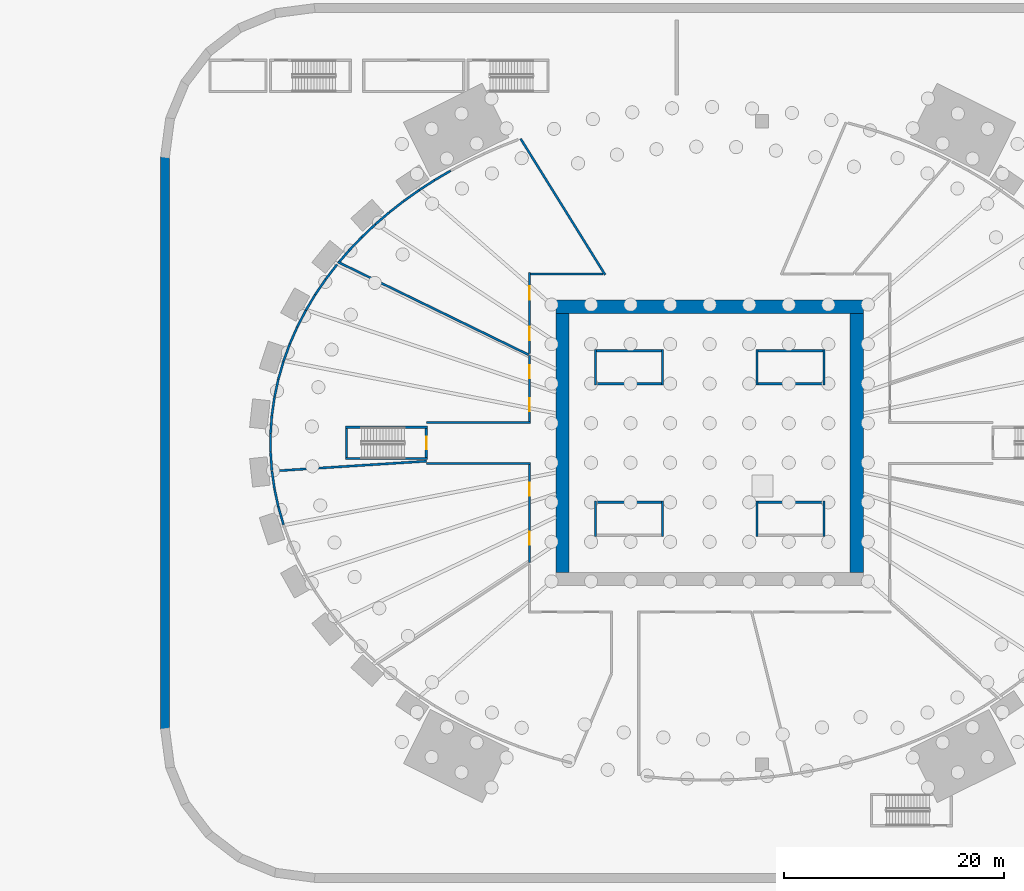
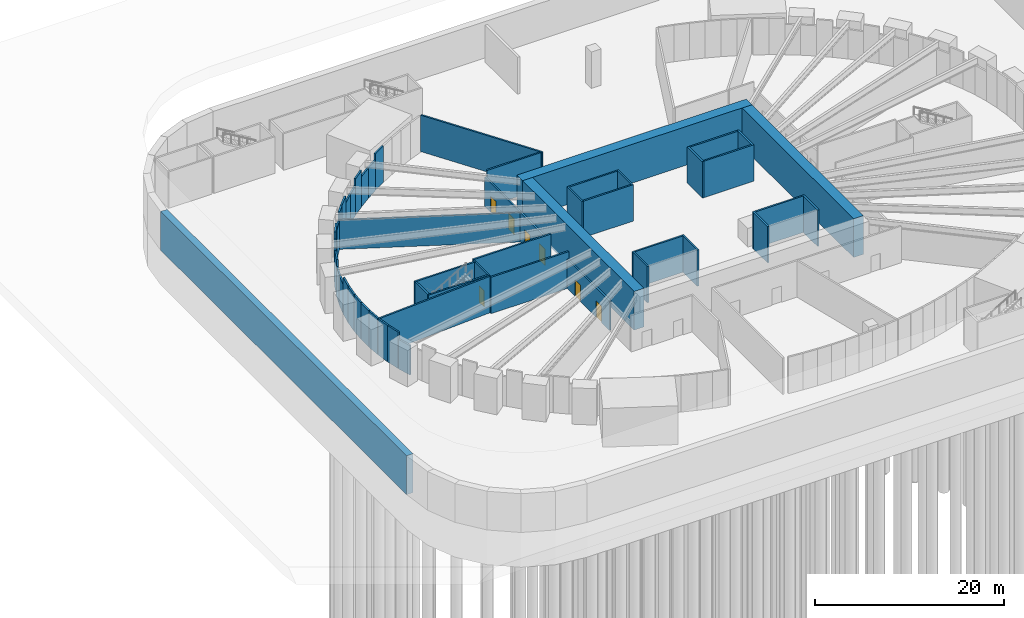
# One storey, part 4 of 14: 54 walls, 7 doors, 7 openings.
"""IFC4 building model written with IfcOpenShell, lengths in metres."""

from ifc_helpers import new_model, si_unit, direction, frame, frame_2d, origin, place, context, subcontext, project, spatial, rectangle, extrude, source, transform, mapped, material, layer, layer_set, type_object, element, fill, save


model = new_model("IFC4")

# Units and contexts
model_context = context("Model", 3, precision=1e-05, world=origin(), true_north=direction((0.0, 1.0)))
body_context = subcontext(model_context, "Body", "Model", "MODEL_VIEW")
ifc_project = project(units=[si_unit("LENGTHUNIT", "METRE"), si_unit("AREAUNIT", "SQUARE_METRE"), si_unit("VOLUMEUNIT", "CUBIC_METRE"), si_unit("PLANEANGLEUNIT", "RADIAN"), si_unit("MASSUNIT", "GRAM", prefix="KILO")], contexts=[model_context])

# Site, building, storey
site_placement = place(None, origin())
site = spatial("IfcSite", under=ifc_project, at=site_placement, CompositionType="ELEMENT")
building_placement = place(site_placement, origin())
building = spatial("IfcBuilding", under=site, at=building_placement, Name="Embergate Tower", CompositionType="ELEMENT")
storey_placement = place(building_placement, frame((0.0, 0.0, -10.0)))
storey = spatial("IfcBuildingStorey", under=building, at=storey_placement, Name="B2", CompositionType="ELEMENT", Elevation=-10.0)

# Walls
ifc_material_1 = material(Name="Concrete C40", Category="concrete")
ifc_layer_1 = layer(ifc_material_1, 0.800048828125)
ifc_layer_set_1 = layer_set([ifc_layer_1], Name="Concrete C40")
wall_type_1 = type_object("IfcWallType", Name="Basement retaining wall C40 800", PredefinedType="SOLIDWALL", material=ifc_layer_set_1)
shared_shape_1 = source(origin(), body_context, "Body", "SweptSolid", [
    extrude(rectangle(XDim=52.0517578125, YDim=0.800048828125, at=frame_2d((26.02587890625, 0.0))), origin(), (0.0, 0.0, 1.0), 5.0),
])
wall_1_placement = place(storey_placement, frame((-49.60009765625, 26.02587890625, -0.300048828125), z_axis=(0.0, 0.0, 1.0), x_axis=(0.0, -1.0, 0.0)))
element("IfcWall", 1, at=wall_1_placement, inside=storey, type_object=wall_type_1, Name="RWL-B2-013", PredefinedType="SOLIDWALL", context=body_context, shape_type="MappedRepresentation", body=[
    mapped(shared_shape_1, transform((0.0, 0.0, 0.0))),
])
ifc_material_2 = material(Name="Concrete C80", Category="concrete")
ifc_layer_2 = layer(ifc_material_2, 1.199951171875)
ifc_layer_set_2 = layer_set([ifc_layer_2], Name="Concrete C80")
wall_type_2 = type_object("IfcWallType", Name="Core outer wall C80 1200", PredefinedType="SHEAR", material=ifc_layer_set_2)
shared_shape_2 = source(origin(), body_context, "Body", "SweptSolid", [
    extrude(rectangle(XDim=28.0, YDim=1.199951171875, at=frame_2d((14.0, 0.0))), origin(), (0.0, 0.0, 1.0), 5.0),
])
wall_2_placement = place(storey_placement, frame((-14.0, 12.39990234375, -0.300048828125), z_axis=(0.0, 0.0, 1.0), x_axis=(1.0, 0.0, 0.0)))
element("IfcWall", 2, at=wall_2_placement, inside=storey, type_object=wall_type_2, Name="CW-B2-N", PredefinedType="SHEAR", context=body_context, shape_type="MappedRepresentation", body=[
    mapped(shared_shape_2, transform((0.0, 0.0, 0.0))),
])
shared_shape_3 = source(origin(), body_context, "Body", "SweptSolid", [
    extrude(rectangle(XDim=23.60009765625, YDim=1.199951171875, at=frame_2d((11.800048828125, 0.0))), origin(), (0.0, 0.0, 1.0), 5.0),
])
for number, where, z_axis, x_axis, name in (
    (3, (13.39990234375, -11.800048828125, -0.300048828125), (0.0, 0.0, 1.0), (0.0, 1.0, 0.0), "CW-B2-E"),
    (4, (-13.39990234375, -11.800048828125, -0.300048828125), (0.0, 0.0, 1.0), (0.0, 1.0, 0.0), "CW-B2-W"),
):
    element("IfcWall", number, at=place(storey_placement, frame(where, z_axis=z_axis, x_axis=x_axis)), inside=storey, type_object=wall_type_2, Name=name, PredefinedType="SHEAR", context=body_context, shape_type="MappedRepresentation", body=[
        mapped(shared_shape_3, transform((0.0, 0.0, 0.0))),
    ])
ifc_material_3 = material(Name="Concrete C50", Category="concrete")
ifc_layer_3 = layer(ifc_material_3, 0.199951171875)
ifc_layer_set_3 = layer_set([ifc_layer_3], Name="Concrete C50")
wall_type_3 = type_object("IfcWallType", Name="Stair enclosure wall reinforced concrete 250", PredefinedType="SHEAR", material=ifc_layer_set_3)
shared_shape_4 = source(origin(), body_context, "Body", "SweptSolid", [
    extrude(rectangle(XDim=6.300048828125, YDim=0.199951171875, at=frame_2d((3.14990234375, 0.0))), origin(), (0.0, 0.0, 1.0), 4.699951171875),
])
for number, where, z_axis, x_axis, name in (
    (5, (-4.199951171875, 5.39990234375, 0.0), (0.0, 0.0, 1.0), (-1.0, 0.0, 0.0), "SE-1 wall"),
    (6, (10.5, 5.39990234375, 0.0), (0.0, 0.0, 1.0), (-1.0, 0.0, 0.0), "SE-1 wall"),
    (7, (-10.5, -5.39990234375, 0.0), (0.0, 0.0, 1.0), (1.0, 0.0, 0.0), "SE-1 wall"),
    (8, (4.199951171875, -5.39990234375, 0.0), (0.0, 0.0, 1.0), (1.0, 0.0, 0.0), "SE-1 wall"),
    (9, (-4.199951171875, 8.39990234375, 0.0), (0.0, 0.0, 1.0), (-1.0, 0.0, 0.0), "SE-1 wall"),
    (10, (10.5, 8.39990234375, 0.0), (0.0, 0.0, 1.0), (-1.0, 0.0, 0.0), "SE-1 wall"),
):
    element("IfcWall", number, at=place(storey_placement, frame(where, z_axis=z_axis, x_axis=x_axis)), inside=storey, type_object=wall_type_3, Name=name, PredefinedType="SHEAR", context=body_context, shape_type="MappedRepresentation", body=[
        mapped(shared_shape_4, transform((0.0, 0.0, 0.0))),
    ])
shared_shape_5 = source(origin(), body_context, "Body", "SweptSolid", [
    extrude(rectangle(XDim=3.199951171875, YDim=0.199951171875, at=frame_2d((1.60009765625, 0.0))), origin(), (0.0, 0.0, 1.0), 4.699951171875),
])
for number, where, z_axis, x_axis, name in (
    (11, (-4.300048828125, 5.300048828125, 0.0), (0.0, 0.0, 1.0), (0.0, 1.0, 0.0), "SE-1 wall"),
    (12, (-10.39990234375, 8.5, 0.0), (0.0, 0.0, 1.0), (0.0, -1.0, 0.0), "SE-1 wall"),
    (13, (4.300048828125, 8.5, 0.0), (0.0, 0.0, 1.0), (0.0, -1.0, 0.0), "SE-1 wall"),
    (14, (10.39990234375, 5.300048828125, 0.0), (0.0, 0.0, 1.0), (0.0, 1.0, 0.0), "SE-1 wall"),
    (15, (-4.300048828125, -8.5, 0.0), (0.0, 0.0, 1.0), (0.0, 1.0, 0.0), "SE-1 wall"),
    (16, (-10.39990234375, -5.300048828125, 0.0), (0.0, 0.0, 1.0), (0.0, -1.0, 0.0), "SE-1 wall"),
    (17, (4.300048828125, -5.300048828125, 0.0), (0.0, 0.0, 1.0), (0.0, -1.0, 0.0), "SE-1 wall"),
    (18, (10.39990234375, -8.5, 0.0), (0.0, 0.0, 1.0), (0.0, 1.0, 0.0), "SE-1 wall"),
):
    element("IfcWall", number, at=place(storey_placement, frame(where, z_axis=z_axis, x_axis=x_axis)), inside=storey, type_object=wall_type_3, Name=name, PredefinedType="SHEAR", context=body_context, shape_type="MappedRepresentation", body=[
        mapped(shared_shape_5, transform((0.0, 0.0, 0.0))),
    ])
ifc_layer_4 = layer(ifc_material_1, 0.199951171875)
ifc_layer_set_4 = layer_set([ifc_layer_4], Name="Concrete C40")
wall_type_4 = type_object("IfcWallType", Name="Stair enclosure wall RC 200", PredefinedType="STANDARD", material=ifc_layer_set_4)
shared_shape_6 = source(origin(), body_context, "Body", "SweptSolid", [
    extrude(rectangle(XDim=2.64990234375, YDim=0.199951171875, at=frame_2d((1.324951171875, 0.0))), origin(), (0.0, 0.0, 1.0), 4.699951171875),
])
wall_3_placement = place(storey_placement, frame((-33.070068359375, -1.324951171875, 0.0), z_axis=(0.0, 0.0, 1.0), x_axis=(0.0, 1.0, 0.0)))
element("IfcWall", 19, at=wall_3_placement, inside=storey, type_object=wall_type_4, Name="Stair wall 028", PredefinedType="STANDARD", context=body_context, shape_type="MappedRepresentation", body=[
    mapped(shared_shape_6, transform((0.0, 0.0, 0.0))),
])

# Wall, opening, door
wall_4_placement = place(storey_placement, frame((-25.800048828125, -1.324951171875, 0.0), z_axis=(0.0, 0.0, 1.0), x_axis=(0.0, 1.0, 0.0)))
wall_4 = element("IfcWall", 20, at=wall_4_placement, inside=storey, type_object=wall_type_4, Name="Stair wall 048", PredefinedType="STANDARD", context=body_context, shape_type="MappedRepresentation", body=[
    mapped(shared_shape_6, transform((0.0, 0.0, 0.0))),
])
shared_shape_7 = source(origin(), body_context, "Body", "SweptSolid", [
    extrude(rectangle(XDim=1.10009765625, YDim=2.10009765625, at=frame_2d((0.550048828125, 1.050048828125))), frame((0.0, 0.10986328125, 0.0), z_axis=(0.0, -1.0, 0.0), x_axis=(1.0, 0.0, 0.0)), (0.0, 0.0, 1.0), 0.219970703125),
])
opening_1_placement = place(wall_4_placement, frame((0.77490234375, 0.0, 0.0)))
opening_1 = element("IfcOpeningElement", 21, at=opening_1_placement, cuts=wall_4, Name="Opening DS-316", PredefinedType="OPENING", context=body_context, shape_type="MappedRepresentation", body=[
    mapped(shared_shape_7, transform((0.0, 0.0, 0.0))),
])
ifc_material_4 = material(Name="Steel fire door leaf", Category="steel")
door_type_1 = type_object("IfcDoorType", Name="Fire door class B 1100x2100", OperationType="SINGLE_SWING_LEFT", PredefinedType="DOOR", material=ifc_material_4)
shared_shape_8 = source(origin(), body_context, "Body", "SweptSolid", [
    extrude(rectangle(XDim=1.10009765625, YDim=2.10009765625, at=frame_2d((0.550048828125, 1.050048828125))), frame((0.0, 0.02490234375, 0.0), z_axis=(0.0, -1.0, 0.0), x_axis=(1.0, 0.0, 0.0)), (0.0, 0.0, 1.0), 0.050048828125),
])
door_1_placement = place(opening_1_placement, origin())
door_1 = element("IfcDoor", 22, at=door_1_placement, inside=storey, type_object=door_type_1, Name="Door to Exit stair enclosure", OperationType="SINGLE_SWING_LEFT", OverallHeight=2.10009765625, OverallWidth=1.10009765625, PredefinedType="DOOR", context=body_context, shape_type="MappedRepresentation", body=[
    mapped(shared_shape_8, transform((0.0, 0.0, 0.0))),
])
fill(opening_1, door_1)

# Walls
ifc_material_5 = material(Name="Blockwork, plastered", Category="masonry")
ifc_layer_5 = layer(ifc_material_5, 0.199951171875)
ifc_layer_set_5 = layer_set([ifc_layer_5], Name="Blockwork, plastered")
wall_type_5 = type_object("IfcWallType", Name="Fire partition wall 200 block", PredefinedType="PARTITIONING", material=ifc_layer_set_5)
shared_shape_9 = source(origin(), body_context, "Body", "SweptSolid", [
    extrude(rectangle(XDim=1.68212890625, YDim=0.199951171875, at=frame_2d((0.841064453125, 0.0))), origin(), (0.0, 0.0, 1.0), 4.699951171875),
])
wall_5_placement = place(storey_placement, frame((-39.985107421875, -0.841064453125, 0.0), z_axis=(0.0, 0.0, 1.0), x_axis=(0.0, 1.0, 0.0)))
element("IfcWall", 23, at=wall_5_placement, inside=storey, type_object=wall_type_5, Name="Partition 006", PredefinedType="PARTITIONING", context=body_context, shape_type="MappedRepresentation", body=[
    mapped(shared_shape_9, transform((0.0, 0.0, 0.0))),
])
shared_shape_10 = source(origin(), body_context, "Body", "SweptSolid", [
    extrude(rectangle(XDim=1.682373046875, YDim=0.199951171875, at=frame_2d((0.84130859375, 0.0))), origin(), (0.0, 0.0, 1.0), 4.699951171875),
])
for number, where, z_axis, x_axis, name in (
    (24, (-39.985107421875, 0.841064453125, 0.0), (0.0, 0.0, 1.0), (0.071401751452, 0.997447637668, 0.0), "Partition 007"),
    (25, (-39.864990234375, -2.51904296875, 0.0), (0.0, 0.0, 1.0), (-0.071401751452, 0.997447637668, 0.0), "Partition 008"),
):
    element("IfcWall", number, at=place(storey_placement, frame(where, z_axis=z_axis, x_axis=x_axis)), inside=storey, type_object=wall_type_5, Name=name, PredefinedType="PARTITIONING", context=body_context, shape_type="MappedRepresentation", body=[
        mapped(shared_shape_10, transform((0.0, 0.0, 0.0))),
    ])
shared_shape_11 = source(origin(), body_context, "Body", "SweptSolid", [
    extrude(rectangle(XDim=1.673828125, YDim=0.199951171875, at=frame_2d((0.8369140625, 0.0))), origin(), (0.0, 0.0, 1.0), 4.699951171875),
])
wall_6_placement = place(storey_placement, frame((-39.864990234375, 2.51904296875, 0.0), z_axis=(0.0, 0.0, 1.0), x_axis=(0.141625550727, 0.98992030153, 0.0)))
element("IfcWall", 26, at=wall_6_placement, inside=storey, type_object=wall_type_5, Name="Partition 009", PredefinedType="PARTITIONING", context=body_context, shape_type="MappedRepresentation", body=[
    mapped(shared_shape_11, transform((0.0, 0.0, 0.0))),
])
shared_shape_12 = source(origin(), body_context, "Body", "SweptSolid", [
    extrude(rectangle(XDim=1.62744140625, YDim=0.199951171875, at=frame_2d((0.813720703125, 0.0))), origin(), (0.0, 0.0, 1.0), 4.699951171875),
])
wall_7_placement = place(storey_placement, frame((-39.6279296875, -4.176025390625, 0.0), z_axis=(0.0, 0.0, 1.0), x_axis=(-0.141316343297, 0.989964489826, 0.0)))
element("IfcWall", 27, at=wall_7_placement, inside=storey, type_object=wall_type_5, Name="Partition 010", PredefinedType="PARTITIONING", context=body_context, shape_type="MappedRepresentation", body=[
    mapped(shared_shape_12, transform((0.0, 0.0, 0.0))),
])
shared_shape_13 = source(origin(), body_context, "Body", "SweptSolid", [
    extrude(rectangle(XDim=1.681640625, YDim=0.199951171875, at=frame_2d((0.8408203125, 0.0))), origin(), (0.0, 0.0, 1.0), 4.699951171875),
])
for number, where, z_axis, x_axis, name in (
    (28, (-39.6279296875, 4.176025390625, 0.0), (0.0, 0.0, 1.0), (0.210500580909, 0.977593732303, 0.0), "Partition 011"),
    (29, (-39.27392578125, -5.820068359375, 0.0), (0.0, 0.0, 1.0), (-0.210500580909, 0.977593732303, 0.0), "Partition 012"),
):
    element("IfcWall", number, at=place(storey_placement, frame(where, z_axis=z_axis, x_axis=x_axis)), inside=storey, type_object=wall_type_5, Name=name, PredefinedType="PARTITIONING", context=body_context, shape_type="MappedRepresentation", body=[
        mapped(shared_shape_13, transform((0.0, 0.0, 0.0))),
    ])
shared_shape_14 = source(origin(), body_context, "Body", "SweptSolid", [
    extrude(rectangle(XDim=1.693359375, YDim=0.199951171875, at=frame_2d((0.8466796875, 0.0))), origin(), (0.0, 0.0, 1.0), 3.800048828125),
])
for number, where, z_axis, x_axis, name in (
    (30, (-39.27392578125, 5.820068359375, 0.0), (0.0, 0.0, 1.0), (0.277518954401, 0.960720162143, 0.0), "Partition 013"),
    (31, (-38.803955078125, -7.447021484375, 0.0), (0.0, 0.0, 1.0), (-0.277518954401, 0.960720162143, 0.0), "Partition 014"),
):
    element("IfcWall", number, at=place(storey_placement, frame(where, z_axis=z_axis, x_axis=x_axis)), inside=storey, type_object=wall_type_5, Name=name, PredefinedType="PARTITIONING", context=body_context, shape_type="MappedRepresentation", body=[
        mapped(shared_shape_14, transform((0.0, 0.0, 0.0))),
    ])
shared_shape_15 = source(origin(), body_context, "Body", "SweptSolid", [
    extrude(rectangle(XDim=1.66650390625, YDim=0.199951171875, at=frame_2d((0.833251953125, 0.0))), origin(), (0.0, 0.0, 1.0), 3.800048828125),
])
wall_8_placement = place(storey_placement, frame((-38.803955078125, 7.447021484375, 0.0), z_axis=(0.0, 0.0, 1.0), x_axis=(0.340731348686, 0.940160703296, 0.0)))
element("IfcWall", 32, at=wall_8_placement, inside=storey, type_object=wall_type_5, Name="Partition 015", PredefinedType="PARTITIONING", context=body_context, shape_type="MappedRepresentation", body=[
    mapped(shared_shape_15, transform((0.0, 0.0, 0.0))),
])
shared_shape_16 = source(origin(), body_context, "Body", "SweptSolid", [
    extrude(rectangle(XDim=1.68408203125, YDim=0.199951171875, at=frame_2d((0.842041015625, 0.0))), origin(), (0.0, 0.0, 1.0), 4.699951171875),
])
wall_9_placement = place(storey_placement, frame((-38.236083984375, 9.013916015625, 0.0), z_axis=(0.0, 0.0, 1.0), x_axis=(0.402004884465, 0.91563752264, 0.0)))
element("IfcWall", 33, at=wall_9_placement, inside=storey, type_object=wall_type_5, Name="Partition 017", PredefinedType="PARTITIONING", context=body_context, shape_type="MappedRepresentation", body=[
    mapped(shared_shape_16, transform((0.0, 0.0, 0.0))),
])
shared_shape_17 = source(origin(), body_context, "Body", "SweptSolid", [
    extrude(rectangle(XDim=1.703369140625, YDim=0.199951171875, at=frame_2d((0.8515625, 0.0))), origin(), (0.0, 0.0, 1.0), 3.800048828125),
])
wall_10_placement = place(storey_placement, frame((-37.55908203125, 10.555908203125, 0.0), z_axis=(0.0, 0.0, 1.0), x_axis=(0.459099243657, 0.888384986632, 0.0)))
element("IfcWall", 34, at=wall_10_placement, inside=storey, type_object=wall_type_5, Name="Partition 019", PredefinedType="PARTITIONING", context=body_context, shape_type="MappedRepresentation", body=[
    mapped(shared_shape_17, transform((0.0, 0.0, 0.0))),
])
shared_shape_18 = source(origin(), body_context, "Body", "SweptSolid", [
    extrude(rectangle(XDim=1.664306640625, YDim=0.199951171875, at=frame_2d((0.83203125, 0.0))), origin(), (0.0, 0.0, 1.0), 3.800048828125),
])
wall_11_placement = place(storey_placement, frame((-36.777099609375, 12.069091796875, 0.0), z_axis=(0.0, 0.0, 1.0), x_axis=(0.512574404265, 0.858642812869, 0.0)))
element("IfcWall", 35, at=wall_11_placement, inside=storey, type_object=wall_type_5, Name="Partition 021", PredefinedType="PARTITIONING", context=body_context, shape_type="MappedRepresentation", body=[
    mapped(shared_shape_18, transform((0.0, 0.0, 0.0))),
])
shared_shape_19 = source(origin(), body_context, "Body", "SweptSolid", [
    extrude(rectangle(XDim=1.686767578125, YDim=0.199951171875, at=frame_2d((0.84326171875, 0.0))), origin(), (0.0, 0.0, 1.0), 4.699951171875),
])
wall_12_placement = place(storey_placement, frame((-35.924072265625, 13.498046875, 0.0), z_axis=(0.0, 0.0, 1.0), x_axis=(0.562060565022, 0.827096077398, 0.0)))
element("IfcWall", 36, at=wall_12_placement, inside=storey, type_object=wall_type_5, Name="Partition 023", PredefinedType="PARTITIONING", context=body_context, shape_type="MappedRepresentation", body=[
    mapped(shared_shape_19, transform((0.0, 0.0, 0.0))),
])
shared_shape_20 = source(origin(), body_context, "Body", "SweptSolid", [
    extrude(rectangle(XDim=1.7080078125, YDim=0.199951171875, at=frame_2d((0.85400390625, 0.0))), origin(), (0.0, 0.0, 1.0), 3.800048828125),
])
wall_13_placement = place(storey_placement, frame((-34.97607421875, 14.89306640625, 0.0), z_axis=(0.0, 0.0, 1.0), x_axis=(0.608881540083, 0.793261161375, 0.0)))
element("IfcWall", 37, at=wall_13_placement, inside=storey, type_object=wall_type_5, Name="Partition 025", PredefinedType="PARTITIONING", context=body_context, shape_type="MappedRepresentation", body=[
    mapped(shared_shape_20, transform((0.0, 0.0, 0.0))),
])
shared_shape_21 = source(origin(), body_context, "Body", "SweptSolid", [
    extrude(rectangle(XDim=1.30126953125, YDim=0.199951171875, at=frame_2d((0.650634765625, 0.0))), origin(), (0.0, 0.0, 1.0), 4.699951171875),
])
wall_14_placement = place(storey_placement, frame((-33.697998046875, 16.52392578125, 0.0), z_axis=(0.0, 0.0, 1.0), x_axis=(0.650806823265, 0.759243359399, 0.0)))
element("IfcWall", 38, at=wall_14_placement, inside=storey, type_object=wall_type_5, Name="Partition 027", PredefinedType="PARTITIONING", context=body_context, shape_type="MappedRepresentation", body=[
    mapped(shared_shape_21, transform((0.0, 0.0, 0.0))),
])
shared_shape_22 = source(origin(), body_context, "Body", "SweptSolid", [
    extrude(rectangle(XDim=7.469970703125, YDim=0.199951171875, at=frame_2d((3.73486328125, 0.0))), origin(), (0.0, 0.0, 1.0), 4.699951171875),
])
for number, where, z_axis, x_axis, name in (
    (39, (-33.169921875, 1.425048828125, 0.0), (0.0, 0.0, 1.0), (1.0, 0.0, 0.0), "Stair wall 029"),
    (40, (-25.699951171875, -1.425048828125, 0.0), (0.0, 0.0, 1.0), (-1.0, 0.0, 0.0), "Stair wall 047"),
):
    element("IfcWall", number, at=place(storey_placement, frame(where, z_axis=z_axis, x_axis=x_axis)), inside=storey, type_object=wall_type_4, Name=name, PredefinedType="STANDARD", context=body_context, shape_type="MappedRepresentation", body=[
        mapped(shared_shape_22, transform((0.0, 0.0, 0.0))),
    ])
shared_shape_23 = source(origin(), body_context, "Body", "SweptSolid", [
    extrude(rectangle(XDim=1.68896484375, YDim=0.199951171875, at=frame_2d((0.844482421875, 0.0))), origin(), (0.0, 0.0, 1.0), 4.699951171875),
])
wall_15_placement = place(storey_placement, frame((-32.85107421875, 17.511962890625, 0.0), z_axis=(0.0, 0.0, 1.0), x_axis=(0.690362287373, 0.723463829209, 0.0)))
element("IfcWall", 41, at=wall_15_placement, inside=storey, type_object=wall_type_5, Name="Partition 031", PredefinedType="PARTITIONING", context=body_context, shape_type="MappedRepresentation", body=[
    mapped(shared_shape_23, transform((0.0, 0.0, 0.0))),
])
shared_shape_24 = source(origin(), body_context, "Body", "SweptSolid", [
    extrude(rectangle(XDim=1.711181640625, YDim=0.199951171875, at=frame_2d((0.85546875, 0.0))), origin(), (0.0, 0.0, 1.0), 3.800048828125),
])
wall_16_placement = place(storey_placement, frame((-31.68505859375, 18.73388671875, 0.0), z_axis=(0.0, 0.0, 1.0), x_axis=(0.725828944037, 0.687875238687, 0.0)))
element("IfcWall", 42, at=wall_16_placement, inside=storey, type_object=wall_type_5, Name="Partition 036", PredefinedType="PARTITIONING", context=body_context, shape_type="MappedRepresentation", body=[
    mapped(shared_shape_24, transform((0.0, 0.0, 0.0))),
])
shared_shape_25 = source(origin(), body_context, "Body", "SweptSolid", [
    extrude(rectangle(XDim=1.669677734375, YDim=0.199951171875, at=frame_2d((0.8349609375, 0.0))), origin(), (0.0, 0.0, 1.0), 3.800048828125),
])
wall_17_placement = place(storey_placement, frame((-30.443115234375, 19.910888671875, 0.0), z_axis=(0.0, 0.0, 1.0), x_axis=(0.75893652375, 0.651164612766, 0.0)))
element("IfcWall", 43, at=wall_17_placement, inside=storey, type_object=wall_type_5, Name="Partition 039", PredefinedType="PARTITIONING", context=body_context, shape_type="MappedRepresentation", body=[
    mapped(shared_shape_25, transform((0.0, 0.0, 0.0))),
])
shared_shape_26 = source(origin(), body_context, "Body", "SweptSolid", [
    extrude(rectangle(XDim=1.68994140625, YDim=0.199951171875, at=frame_2d((0.844970703125, 0.0))), origin(), (0.0, 0.0, 1.0), 4.699951171875),
])
wall_18_placement = place(storey_placement, frame((-29.176025390625, 20.998046875, 0.0), z_axis=(0.0, 0.0, 1.0), x_axis=(0.788199556762, 0.6154197419, 0.0)))
element("IfcWall", 44, at=wall_18_placement, inside=storey, type_object=wall_type_5, Name="Partition 041", PredefinedType="PARTITIONING", context=body_context, shape_type="MappedRepresentation", body=[
    mapped(shared_shape_26, transform((0.0, 0.0, 0.0))),
])
shared_shape_27 = source(origin(), body_context, "Body", "SweptSolid", [
    extrude(rectangle(XDim=1.71142578125, YDim=0.199951171875, at=frame_2d((0.855712890625, 0.0))), origin(), (0.0, 0.0, 1.0), 3.89990234375),
])
wall_19_placement = place(storey_placement, frame((-27.843994140625, 22.0380859375, 0.0), z_axis=(0.0, 0.0, 1.0), x_axis=(0.81570474183, 0.578468472914, 0.0)))
element("IfcWall", 45, at=wall_19_placement, inside=storey, type_object=wall_type_5, Name="Partition 043", PredefinedType="PARTITIONING", context=body_context, shape_type="MappedRepresentation", body=[
    mapped(shared_shape_27, transform((0.0, 0.0, 0.0))),
])
shared_shape_28 = source(origin(), body_context, "Body", "SweptSolid", [
    extrude(rectangle(XDim=1.6728515625, YDim=0.199951171875, at=frame_2d((0.83642578125, 0.0))), origin(), (0.0, 0.0, 1.0), 3.89990234375),
])
wall_20_placement = place(storey_placement, frame((-26.447998046875, 23.028076171875, 0.0), z_axis=(0.0, 0.0, 1.0), x_axis=(0.83989108096, 0.542754983508, 0.0)))
element("IfcWall", 46, at=wall_20_placement, inside=storey, type_object=wall_type_5, Name="Partition 045", PredefinedType="PARTITIONING", context=body_context, shape_type="MappedRepresentation", body=[
    mapped(shared_shape_28, transform((0.0, 0.0, 0.0))),
])
shared_shape_29 = source(origin(), body_context, "Body", "SweptSolid", [
    extrude(rectangle(XDim=13.98681640625, YDim=0.199951171875, at=frame_2d((6.993408203125, 0.0))), origin(), (0.0, 0.0, 1.0), 4.699951171875),
])
wall_21_placement = place(storey_placement, frame((-25.800048828125, -1.660888671875, 0.0), z_axis=(0.0, 0.0, 1.0), x_axis=(-0.997935967214, -0.06421686181, 0.0)))
element("IfcWall", 47, at=wall_21_placement, inside=storey, type_object=wall_type_5, Name="Partition 046", PredefinedType="PARTITIONING", context=body_context, shape_type="MappedRepresentation", body=[
    mapped(shared_shape_29, transform((0.0, 0.0, 0.0))),
])
shared_shape_30 = source(origin(), body_context, "Body", "SweptSolid", [
    extrude(rectangle(XDim=9.5, YDim=0.199951171875, at=frame_2d((4.75, 0.0))), origin(), (0.0, 0.0, 1.0), 4.699951171875),
])
for number, where, z_axis, x_axis, name in (
    (48, (-25.800048828125, 1.875, 0.0), (0.0, 0.0, 1.0), (1.0, 0.0, 0.0), "Partition 049"),
    (49, (-16.300048828125, -1.875, 0.0), (0.0, 0.0, 1.0), (-1.0, 0.0, 0.0), "Partition 069"),
):
    element("IfcWall", number, at=place(storey_placement, frame(where, z_axis=z_axis, x_axis=x_axis)), inside=storey, type_object=wall_type_5, Name=name, PredefinedType="PARTITIONING", context=body_context, shape_type="MappedRepresentation", body=[
        mapped(shared_shape_30, transform((0.0, 0.0, 0.0))),
    ])
shared_shape_31 = source(origin(), body_context, "Body", "SweptSolid", [
    extrude(rectangle(XDim=1.691162109375, YDim=0.199951171875, at=frame_2d((0.845703125, 0.0))), origin(), (0.0, 0.0, 1.0), 4.699951171875),
])
wall_22_placement = place(storey_placement, frame((-25.04296875, 23.93603515625, 0.0), z_axis=(0.0, 0.0, 1.0), x_axis=(0.862119710522, 0.506704652366, 0.0)))
element("IfcWall", 50, at=wall_22_placement, inside=storey, type_object=wall_type_5, Name="Partition 051", PredefinedType="PARTITIONING", context=body_context, shape_type="MappedRepresentation", body=[
    mapped(shared_shape_31, transform((0.0, 0.0, 0.0))),
])
shared_shape_32 = source(origin(), body_context, "Body", "SweptSolid", [
    extrude(rectangle(XDim=14.587890625, YDim=0.199951171875, at=frame_2d((7.2939453125, 0.0))), origin(), (0.0, 0.0, 1.0), 4.699951171875),
])
wall_23_placement = place(storey_placement, frame((-17.218017578125, 27.705078125, 0.0), z_axis=(0.0, 0.0, 1.0), x_axis=(0.527833957689, -0.849347580859, 0.0)))
element("IfcWall", 51, at=wall_23_placement, inside=storey, type_object=wall_type_5, Name="Partition 065", PredefinedType="PARTITIONING", context=body_context, shape_type="MappedRepresentation", body=[
    mapped(shared_shape_32, transform((0.0, 0.0, 0.0))),
])

# Wall, openings, doors
shared_shape_33 = source(origin(), body_context, "Body", "SweptSolid", [
    extrude(rectangle(XDim=8.9248046875, YDim=0.199951171875, at=frame_2d((4.46240234375, 0.0))), origin(), (0.0, 0.0, 1.0), 3.800048828125),
])
wall_24_placement = place(storey_placement, frame((-16.39990234375, -10.89990234375, 0.0), z_axis=(0.0, 0.0, 1.0), x_axis=(0.0, 1.0, 0.0)))
wall_24 = element("IfcWall", 52, at=wall_24_placement, inside=storey, type_object=wall_type_5, Name="Partition 068", PredefinedType="PARTITIONING", context=body_context, shape_type="MappedRepresentation", body=[
    mapped(shared_shape_33, transform((0.0, 0.0, 0.0))),
])
shared_shape_34 = source(origin(), body_context, "Body", "SweptSolid", [
    extrude(rectangle(XDim=1.199951171875, YDim=2.10009765625, at=frame_2d((0.60009765625, 1.050048828125))), frame((0.0, 0.10986328125, 0.0), z_axis=(0.0, -1.0, 0.0), x_axis=(1.0, 0.0, 0.0)), (0.0, 0.0, 1.0), 0.219970703125),
])
opening_2_placement = place(wall_24_placement, frame((1.631103515625, 0.0, 0.0)))
opening_2 = element("IfcOpeningElement", 53, at=opening_2_placement, cuts=wall_24, Name="Opening DS-321", PredefinedType="OPENING", context=body_context, shape_type="MappedRepresentation", body=[
    mapped(shared_shape_34, transform((0.0, 0.0, 0.0))),
])
opening_3_placement = place(wall_24_placement, frame((6.093994140625, 0.0, 0.0)))
opening_3 = element("IfcOpeningElement", 54, at=opening_3_placement, cuts=wall_24, Name="Opening DS-322", PredefinedType="OPENING", context=body_context, shape_type="MappedRepresentation", body=[
    mapped(shared_shape_34, transform((0.0, 0.0, 0.0))),
])
ifc_material_6 = material(Name="Timber door leaf, steel frame", Category="steel")
door_type_2 = type_object("IfcDoorType", Name="Plant door 1200x2100", OperationType="SINGLE_SWING_LEFT", PredefinedType="DOOR", material=ifc_material_6)
shared_shape_35 = source(origin(), body_context, "Body", "SweptSolid", [
    extrude(rectangle(XDim=1.199951171875, YDim=2.10009765625, at=frame_2d((0.60009765625, 1.050048828125))), frame((0.0, 0.02490234375, 0.0), z_axis=(0.0, -1.0, 0.0), x_axis=(1.0, 0.0, 0.0)), (0.0, 0.0, 1.0), 0.050048828125),
])
door_2_placement = place(opening_2_placement, origin())
door_2 = element("IfcDoor", 55, at=door_2_placement, inside=storey, type_object=door_type_2, Name="Door to Water tank room", OperationType="SINGLE_SWING_LEFT", OverallHeight=2.10009765625, OverallWidth=1.199951171875, PredefinedType="DOOR", context=body_context, shape_type="MappedRepresentation", body=[
    mapped(shared_shape_35, transform((0.0, 0.0, 0.0))),
])
fill(opening_2, door_2)
door_3_placement = place(opening_3_placement, origin())
door_3 = element("IfcDoor", 56, at=door_3_placement, inside=storey, type_object=door_type_2, Name="Door to Water tank room", OperationType="SINGLE_SWING_LEFT", OverallHeight=2.10009765625, OverallWidth=1.199951171875, PredefinedType="DOOR", context=body_context, shape_type="MappedRepresentation", body=[
    mapped(shared_shape_35, transform((0.0, 0.0, 0.0))),
])
fill(opening_3, door_3)

shared_shape_36 = source(origin(), body_context, "Body", "SweptSolid", [
    extrude(rectangle(XDim=6.010009765625, YDim=0.199951171875, at=frame_2d((3.0048828125, 0.0))), origin(), (0.0, 0.0, 1.0), 3.800048828125),
])
wall_25_placement = place(storey_placement, frame((-16.39990234375, 1.97509765625, 0.0), z_axis=(0.0, 0.0, 1.0), x_axis=(0.0, 1.0, 0.0)))
wall_25 = element("IfcWall", 57, at=wall_25_placement, inside=storey, type_object=wall_type_5, Name="Partition 070", PredefinedType="PARTITIONING", context=body_context, shape_type="MappedRepresentation", body=[
    mapped(shared_shape_36, transform((0.0, 0.0, 0.0))),
])
opening_4_placement = place(wall_25_placement, frame((0.903076171875, 0.0, 0.0)))
opening_4 = element("IfcOpeningElement", 58, at=opening_4_placement, cuts=wall_25, Name="Opening DS-319", PredefinedType="OPENING", context=body_context, shape_type="MappedRepresentation", body=[
    mapped(shared_shape_34, transform((0.0, 0.0, 0.0))),
])
opening_5_placement = place(wall_25_placement, frame((3.907958984375, 0.0, 0.0)))
opening_5 = element("IfcOpeningElement", 59, at=opening_5_placement, cuts=wall_25, Name="Opening DS-320", PredefinedType="OPENING", context=body_context, shape_type="MappedRepresentation", body=[
    mapped(shared_shape_34, transform((0.0, 0.0, 0.0))),
])
door_4_placement = place(opening_4_placement, origin())
door_4 = element("IfcDoor", 60, at=door_4_placement, inside=storey, type_object=door_type_2, Name="Door to Mechanical plant room", OperationType="SINGLE_SWING_LEFT", OverallHeight=2.10009765625, OverallWidth=1.199951171875, PredefinedType="DOOR", context=body_context, shape_type="MappedRepresentation", body=[
    mapped(shared_shape_35, transform((0.0, 0.0, 0.0))),
])
fill(opening_4, door_4)
door_5_placement = place(opening_5_placement, origin())
door_5 = element("IfcDoor", 61, at=door_5_placement, inside=storey, type_object=door_type_2, Name="Door to Mechanical plant room", OperationType="SINGLE_SWING_LEFT", OverallHeight=2.10009765625, OverallWidth=1.199951171875, PredefinedType="DOOR", context=body_context, shape_type="MappedRepresentation", body=[
    mapped(shared_shape_35, transform((0.0, 0.0, 0.0))),
])
fill(opening_5, door_5)

# Wall
shared_shape_37 = source(origin(), body_context, "Body", "SweptSolid", [
    extrude(rectangle(XDim=19.319091796875, YDim=0.199951171875, at=frame_2d((9.65966796875, 0.0))), origin(), (0.0, 0.0, 1.0), 3.800048828125),
])
wall_26_placement = place(storey_placement, frame((-16.489990234375, 8.029052734375, 0.0), z_axis=(0.0, 0.0, 1.0), x_axis=(-0.899118432377, 0.437705431267, 0.0)))
element("IfcWall", 62, at=wall_26_placement, inside=storey, type_object=wall_type_5, Name="Partition 071", PredefinedType="PARTITIONING", context=body_context, shape_type="MappedRepresentation", body=[
    mapped(shared_shape_37, transform((0.0, 0.0, 0.0))),
])

# Wall, openings, doors
shared_shape_38 = source(origin(), body_context, "Body", "SweptSolid", [
    extrude(rectangle(XDim=7.375, YDim=0.199951171875, at=frame_2d((3.6875, 0.0))), origin(), (0.0, 0.0, 1.0), 3.800048828125),
])
wall_27_placement = place(storey_placement, frame((-16.39990234375, 8.125, 0.0), z_axis=(0.0, 0.0, 1.0), x_axis=(0.0, 1.0, 0.0)))
wall_27 = element("IfcWall", 63, at=wall_27_placement, inside=storey, type_object=wall_type_5, Name="Partition 072", PredefinedType="PARTITIONING", context=body_context, shape_type="MappedRepresentation", body=[
    mapped(shared_shape_38, transform((0.0, 0.0, 0.0))),
])
opening_6_placement = place(wall_27_placement, frame((1.243896484375, 0.0, 0.0)))
opening_6 = element("IfcOpeningElement", 64, at=opening_6_placement, cuts=wall_27, Name="Opening DS-317", PredefinedType="OPENING", context=body_context, shape_type="MappedRepresentation", body=[
    mapped(shared_shape_34, transform((0.0, 0.0, 0.0))),
])
opening_7_placement = place(wall_27_placement, frame((4.930908203125, 0.0, 0.0)))
opening_7 = element("IfcOpeningElement", 65, at=opening_7_placement, cuts=wall_27, Name="Opening DS-318", PredefinedType="OPENING", context=body_context, shape_type="MappedRepresentation", body=[
    mapped(shared_shape_34, transform((0.0, 0.0, 0.0))),
])
door_6_placement = place(opening_6_placement, origin())
door_6 = element("IfcDoor", 66, at=door_6_placement, inside=storey, type_object=door_type_2, Name="Door to Chiller plant", OperationType="SINGLE_SWING_LEFT", OverallHeight=2.10009765625, OverallWidth=1.199951171875, PredefinedType="DOOR", context=body_context, shape_type="MappedRepresentation", body=[
    mapped(shared_shape_35, transform((0.0, 0.0, 0.0))),
])
fill(opening_6, door_6)
door_7_placement = place(opening_7_placement, origin())
door_7 = element("IfcDoor", 67, at=door_7_placement, inside=storey, type_object=door_type_2, Name="Door to Chiller plant", OperationType="SINGLE_SWING_LEFT", OverallHeight=2.10009765625, OverallWidth=1.199951171875, PredefinedType="DOOR", context=body_context, shape_type="MappedRepresentation", body=[
    mapped(shared_shape_35, transform((0.0, 0.0, 0.0))),
])
fill(opening_7, door_7)

# Wall
shared_shape_39 = source(origin(), body_context, "Body", "SweptSolid", [
    extrude(rectangle(XDim=6.569091796875, YDim=0.199951171875, at=frame_2d((3.28466796875, 0.0))), origin(), (0.0, 0.0, 1.0), 4.699951171875),
])
wall_28_placement = place(storey_placement, frame((-16.300048828125, 15.39990234375, 0.0), z_axis=(0.0, 0.0, 1.0), x_axis=(1.0, 0.0, 0.0)))
element("IfcWall", 68, at=wall_28_placement, inside=storey, type_object=wall_type_5, Name="Partition 073", PredefinedType="PARTITIONING", context=body_context, shape_type="MappedRepresentation", body=[
    mapped(shared_shape_39, transform((0.0, 0.0, 0.0))),
])

save(model, "model.ifc")
